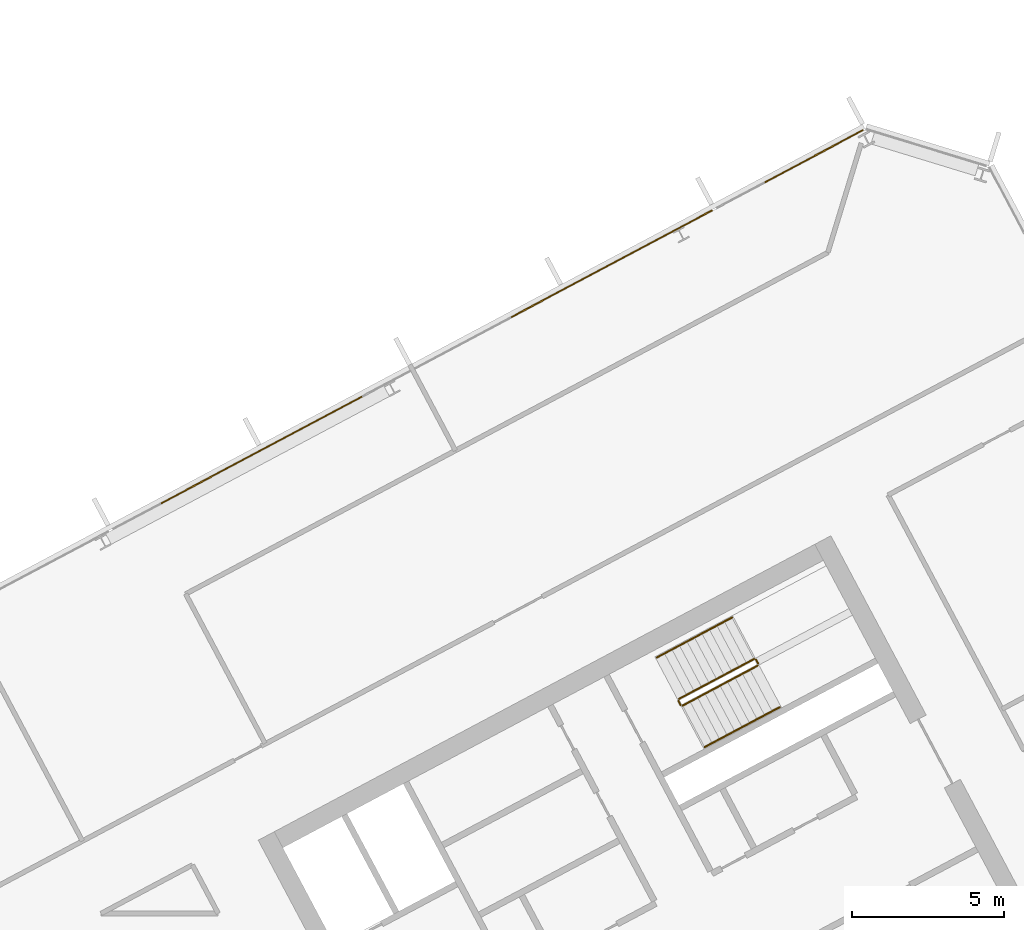
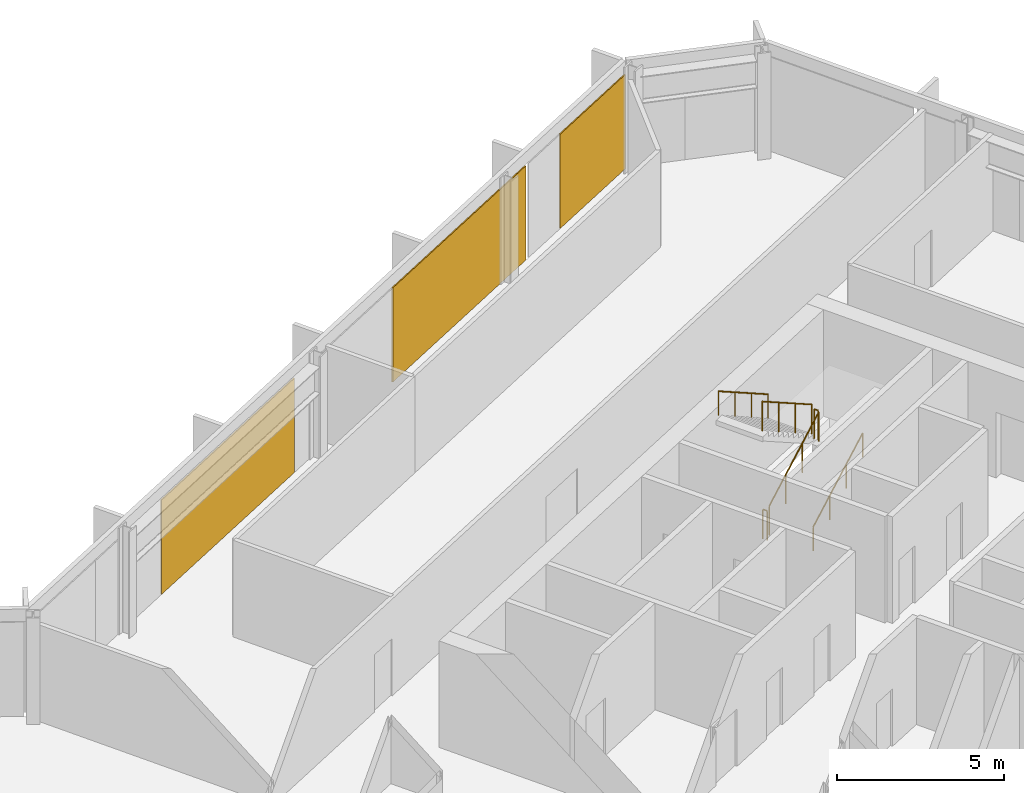
# One storey, part 25 of 26: 6 railings, 3 coverings, 1 element without a shape of its own.
"""IFC4 building model written with IfcOpenShell, lengths in metres."""

from ifc_helpers import new_model, si_unit, direction, frame, origin, origin_2d, place, context, subcontext, project, spatial, polyline, rectangle, outline, extrude, material, layer, layer_set, type_object, element, aggregate, save


model = new_model("IFC4")

# Units and contexts
model_context = context("Model", 3, precision=1e-05, world=origin(), true_north=direction((0.0, 1.0)))
body_context = subcontext(model_context, "Body", "Model", "MODEL_VIEW")
ifc_project = project(units=[si_unit("LENGTHUNIT", "METRE"), si_unit("AREAUNIT", "SQUARE_METRE"), si_unit("VOLUMEUNIT", "CUBIC_METRE"), si_unit("PLANEANGLEUNIT", "RADIAN"), si_unit("MASSUNIT", "GRAM", prefix="KILO")], contexts=[model_context])

# Site, building, storey
site_placement = place(None, origin())
site = spatial("IfcSite", under=ifc_project, at=site_placement, CompositionType="ELEMENT")
building_placement = place(site_placement, origin())
building = spatial("IfcBuilding", under=site, at=building_placement, Name="Cormorant Relay Tower", CompositionType="ELEMENT")
storey_placement = place(building_placement, frame((0.0, 0.0, 197.39990234375)))
storey = spatial("IfcBuildingStorey", under=building, at=storey_placement, Name="L42", CompositionType="ELEMENT", Elevation=197.39990234375)

# Curtain wall, coverings
ifc_material_1 = material(Name="Aluminium 6063-T6 anodised bronze", Category="aluminium")
ifc_layer_1 = layer(ifc_material_1, 0.199951171875)
ifc_layer_set_1 = layer_set([ifc_layer_1], Name="CW1 unitised bronze curtain wall with vertical fins")
curtain_wall_type = type_object("IfcCurtainWallType", Name="CW1 unitised bronze curtain wall with vertical fins", PredefinedType="NOTDEFINED", material=ifc_layer_set_1)
curtain_wall_placement = place(storey_placement, origin())
curtain_wall = element("IfcCurtainWall", 1, at=curtain_wall_placement, inside=storey, type_object=curtain_wall_type, Name="CW1 curtain wall 8", PredefinedType="NOTDEFINED")
ifc_material_2 = material(Name="Pale bronze anodised aluminium insulated panel", Category="aluminium")
ifc_layer_2 = layer(ifc_material_2, 0.0400390625)
ifc_layer_set_2 = layer_set([ifc_layer_2], Name="CW1 pale bronze insulated panel 40")
covering_type = type_object("IfcCoveringType", Name="CW1 pale bronze insulated panel 40", PredefinedType="CLADDING", material=ifc_layer_set_2)
covering_1_placement = place(storey_placement, frame((28.16943359375, 38.78466796875, 0.0), z_axis=(0.0, 0.0, 1.0), x_axis=(-0.882947592859, -0.469471562786, 0.0)))
covering_1 = element("IfcCovering", 2, at=covering_1_placement, type_object=covering_type, Name="CW1 panel S00", PredefinedType="CLADDING", context=body_context, shape_type="SweptSolid", body=[
    extrude(rectangle(XDim=3.68896484375, YDim=0.0400390625, at=origin_2d()), origin(), (0.0, 0.0, 1.0), 3.449951171875),
])
covering_2_placement = place(storey_placement, frame((21.49560546875, 35.236083984375, 0.0), z_axis=(0.0, 0.0, 1.0), x_axis=(-0.882947592859, -0.469471562786, 0.0)))
covering_2 = element("IfcCovering", 3, at=covering_2_placement, type_object=covering_type, Name="CW1 panel S02", PredefinedType="CLADDING", context=body_context, shape_type="SweptSolid", body=[
    extrude(rectangle(XDim=7.528076171875, YDim=0.0400390625, at=origin_2d()), origin(), (0.0, 0.0, 1.0), 3.449951171875),
])
covering_3_placement = place(storey_placement, frame((9.948486328125, 29.09619140625, 0.0), z_axis=(0.0, 0.0, 1.0), x_axis=(-0.882947592859, -0.469471562786, 0.0)))
covering_3 = element("IfcCovering", 4, at=covering_3_placement, type_object=covering_type, Name="CW1 panel S05", PredefinedType="CLADDING", context=body_context, shape_type="SweptSolid", body=[
    extrude(rectangle(XDim=7.528076171875, YDim=0.0400390625, at=origin_2d()), origin(), (0.0, 0.0, 1.0), 3.449951171875),
])
aggregate(curtain_wall, [covering_1, covering_2, covering_3])

# Railings
ifc_material_3 = material(Name="Steel ASTM A572 Grade 50 (Fy 345 MPa)", Category="steel")
railing_type_1 = type_object("IfcRailingType", Name="Stair guard 1100", PredefinedType="GUARDRAIL", material=ifc_material_3)
railing_1_placement = place(storey_placement, frame((23.8408203125, 20.6611328125, 0.177490234375)))
element("IfcRailing", 5, at=railing_1_placement, inside=storey, type_object=railing_type_1, Name="L42 B2 stair guard 1", PredefinedType="GUARDRAIL", context=body_context, shape_type="SweptSolid", body=[
    extrude(outline(polyline([(0.022216796875, 0.00927734375), (0.00927734375, 0.022216796875), (-0.00927734375, 0.022216796875), (-0.022216796875, 0.00927734375), (-0.022216796875, -0.00927734375), (-0.00927734375, -0.022216796875), (0.00927734375, -0.022216796875), (0.022216796875, -0.00927734375), (0.022216796875, 0.00927734375)])), frame((0.0, 0.0, 1.076171875), z_axis=(0.746033882577, 0.396627473466, 0.534901947407), x_axis=(-0.469429322983, 0.882970050864, 0.0)), (0.0, 0.0, 1.0), 3.31396484375),
    extrude(outline(polyline([(0.019287109375, 0.008056640625), (0.008056640625, 0.019287109375), (-0.008056640625, 0.019287109375), (-0.019287109375, 0.008056640625), (-0.019287109375, -0.008056640625), (-0.008056640625, -0.019287109375), (0.008056640625, -0.019287109375), (0.019287109375, -0.008056640625), (0.019287109375, 0.008056640625)])), origin(), (0.0, 0.0, 1.0), 1.052001953125),
    extrude(outline(polyline([(0.019287109375, 0.008056640625), (0.008056640625, 0.019287109375), (-0.008056640625, 0.019287109375), (-0.019287109375, 0.008056640625), (-0.019287109375, -0.008056640625), (-0.008056640625, -0.019287109375), (0.008056640625, -0.019287109375), (0.019287109375, -0.008056640625), (0.019287109375, 0.008056640625)])), frame((0.82421875, 0.438232421875, 0.5908203125)), (0.0, 0.0, 1.0), 1.052001953125),
    extrude(outline(polyline([(0.019287109375, 0.008056640625), (0.008056640625, 0.019287109375), (-0.008056640625, 0.019287109375), (-0.019287109375, 0.008056640625), (-0.019287109375, -0.008056640625), (-0.008056640625, -0.019287109375), (0.008056640625, -0.019287109375), (0.019287109375, -0.008056640625), (0.019287109375, 0.008056640625)])), frame((1.648193359375, 0.876220703125, 1.181884765625)), (0.0, 0.0, 1.0), 1.052001953125),
    extrude(outline(polyline([(0.019287109375, 0.008056640625), (0.008056640625, 0.019287109375), (-0.008056640625, 0.019287109375), (-0.019287109375, 0.008056640625), (-0.019287109375, -0.008056640625), (-0.008056640625, -0.019287109375), (0.008056640625, -0.019287109375), (0.019287109375, -0.008056640625), (0.019287109375, 0.008056640625)])), frame((2.472412109375, 1.314453125, 1.772705078125)), (0.0, 0.0, 1.0), 1.052001953125),
])
railing_2_placement = place(storey_placement, frame((26.333740234375, 22.043212890625, 1.9501953125)))
element("IfcRailing", 6, at=railing_2_placement, inside=storey, type_object=railing_type_1, Name="L42 B2 stair guard 2", PredefinedType="GUARDRAIL", context=body_context, shape_type="SweptSolid", body=[
    extrude(outline(polyline([(0.022216796875, 0.00927734375), (0.00927734375, 0.022216796875), (-0.00927734375, 0.022216796875), (-0.022216796875, 0.00927734375), (-0.022216796875, -0.00927734375), (-0.00927734375, -0.022216796875), (0.00927734375, -0.022216796875), (0.022216796875, -0.00927734375), (0.022216796875, 0.00927734375)])), frame((0.0, 0.0, 1.076171875), z_axis=(-0.469234640946, 0.883073525669, 0.0), x_axis=(-0.883073525669, -0.469234640946, 0.0)), (0.0, 0.0, 1.0), 0.14990234375),
    extrude(outline(polyline([(0.019287109375, 0.008056640625), (0.008056640625, 0.019287109375), (-0.008056640625, 0.019287109375), (-0.019287109375, 0.008056640625), (-0.019287109375, -0.008056640625), (-0.008056640625, -0.019287109375), (0.008056640625, -0.019287109375), (0.019287109375, -0.008056640625), (0.019287109375, 0.008056640625)])), origin(), (0.0, 0.0, 1.0), 1.052001953125),
    extrude(outline(polyline([(0.019287109375, 0.008056640625), (0.008056640625, 0.019287109375), (-0.008056640625, 0.019287109375), (-0.019287109375, 0.008056640625), (-0.019287109375, -0.008056640625), (-0.008056640625, -0.019287109375), (0.008056640625, -0.019287109375), (0.019287109375, -0.008056640625), (0.019287109375, 0.008056640625)])), frame((-0.0703125, 0.13232421875, 0.0)), (0.0, 0.0, 1.0), 1.052001953125),
])
railing_3_placement = place(storey_placement, frame((26.19580078125, 22.1962890625, 2.12744140625)))
element("IfcRailing", 7, at=railing_3_placement, inside=storey, type_object=railing_type_1, Name="L42 B2 stair guard 3", PredefinedType="GUARDRAIL", context=body_context, shape_type="SweptSolid", body=[
    extrude(outline(polyline([(0.022216796875, 0.00927734375), (0.00927734375, 0.022216796875), (-0.00927734375, 0.022216796875), (-0.022216796875, 0.00927734375), (-0.022216796875, -0.00927734375), (-0.00927734375, -0.022216796875), (0.00927734375, -0.022216796875), (0.022216796875, -0.00927734375), (0.022216796875, 0.00927734375)])), frame((0.0, 0.0, 1.076171875), z_axis=(-0.746033882577, -0.396627473466, 0.534901947407), x_axis=(0.469429322983, -0.882970050864, 0.0)), (0.0, 0.0, 1.0), 3.31396484375),
    extrude(outline(polyline([(0.019287109375, 0.008056640625), (0.008056640625, 0.019287109375), (-0.008056640625, 0.019287109375), (-0.019287109375, 0.008056640625), (-0.019287109375, -0.008056640625), (-0.008056640625, -0.019287109375), (0.008056640625, -0.019287109375), (0.019287109375, -0.008056640625), (0.019287109375, 0.008056640625)])), origin(), (0.0, 0.0, 1.0), 1.052001953125),
    extrude(outline(polyline([(0.019287109375, 0.008056640625), (0.008056640625, 0.019287109375), (-0.008056640625, 0.019287109375), (-0.019287109375, 0.008056640625), (-0.019287109375, -0.008056640625), (-0.008056640625, -0.019287109375), (0.008056640625, -0.019287109375), (0.019287109375, -0.008056640625), (0.019287109375, 0.008056640625)])), frame((-0.82421875, -0.438232421875, 0.5908203125)), (0.0, 0.0, 1.0), 1.052001953125),
    extrude(outline(polyline([(0.019287109375, 0.008056640625), (0.008056640625, 0.019287109375), (-0.008056640625, 0.019287109375), (-0.019287109375, 0.008056640625), (-0.019287109375, -0.008056640625), (-0.008056640625, -0.019287109375), (0.008056640625, -0.019287109375), (0.019287109375, -0.008056640625), (0.019287109375, 0.008056640625)])), frame((-1.648193359375, -0.876220703125, 1.181884765625)), (0.0, 0.0, 1.0), 1.052001953125),
    extrude(outline(polyline([(0.019287109375, 0.008056640625), (0.008056640625, 0.019287109375), (-0.008056640625, 0.019287109375), (-0.019287109375, 0.008056640625), (-0.019287109375, -0.008056640625), (-0.008056640625, -0.019287109375), (0.008056640625, -0.019287109375), (0.019287109375, -0.008056640625), (0.019287109375, 0.008056640625)])), frame((-2.472412109375, -1.314453125, 1.772705078125)), (0.0, 0.0, 1.0), 1.052001953125),
])
railing_4_placement = place(storey_placement, frame((23.773193359375, 20.681640625, 0.0)))
element("IfcRailing", 8, at=railing_4_placement, inside=storey, type_object=railing_type_1, Name="L42 B2 stair guard 4", PredefinedType="GUARDRAIL", context=body_context, shape_type="SweptSolid", body=[
    extrude(outline(polyline([(0.022216796875, 0.00927734375), (0.00927734375, 0.022216796875), (-0.00927734375, 0.022216796875), (-0.022216796875, 0.00927734375), (-0.022216796875, -0.00927734375), (-0.00927734375, -0.022216796875), (0.00927734375, -0.022216796875), (0.022216796875, -0.00927734375), (0.022216796875, 0.00927734375)])), frame((0.0, 0.0, 1.076171875), z_axis=(-0.46856034887, 0.8834314911, 0.0), x_axis=(-0.8834314911, -0.46856034887, 0.0)), (0.0, 0.0, 1.0), 0.150146484375),
    extrude(outline(polyline([(0.019287109375, 0.008056640625), (0.008056640625, 0.019287109375), (-0.008056640625, 0.019287109375), (-0.019287109375, 0.008056640625), (-0.019287109375, -0.008056640625), (-0.008056640625, -0.019287109375), (0.008056640625, -0.019287109375), (0.019287109375, -0.008056640625), (0.019287109375, 0.008056640625)])), origin(), (0.0, 0.0, 1.0), 1.052001953125),
    extrude(outline(polyline([(0.019287109375, 0.008056640625), (0.008056640625, 0.019287109375), (-0.008056640625, 0.019287109375), (-0.019287109375, 0.008056640625), (-0.019287109375, -0.008056640625), (-0.008056640625, -0.019287109375), (0.008056640625, -0.019287109375), (0.019287109375, -0.008056640625), (0.019287109375, 0.008056640625)])), frame((-0.0703125, 0.132568359375, 0.0)), (0.0, 0.0, 1.0), 1.052001953125),
])
ifc_material_4 = material(Name="Steel ASTM A572 Grade 50 (Fy 345 MPa)", Category="steel")
railing_type_2 = type_object("IfcRailingType", Name="Stair handrail 900", PredefinedType="HANDRAIL", material=ifc_material_4)
railing_5_placement = place(storey_placement, frame((24.568603515625, 19.29248046875, 0.177490234375)))
element("IfcRailing", 9, at=railing_5_placement, inside=storey, type_object=railing_type_2, Name="L42 B2 stair handrail 1", PredefinedType="HANDRAIL", context=body_context, shape_type="SweptSolid", body=[
    extrude(outline(polyline([(0.022216796875, 0.00927734375), (0.00927734375, 0.022216796875), (-0.00927734375, 0.022216796875), (-0.022216796875, 0.00927734375), (-0.022216796875, -0.00927734375), (-0.00927734375, -0.022216796875), (0.00927734375, -0.022216796875), (0.022216796875, -0.00927734375), (0.022216796875, 0.00927734375)])), frame((0.0, 0.0, 0.8759765625), z_axis=(0.746001213114, 0.396649272309, 0.534931345884), x_axis=(-0.469465464807, 0.882950835185, 0.0)), (0.0, 0.0, 1.0), 3.31396484375),
    extrude(outline(polyline([(0.019287109375, 0.008056640625), (0.008056640625, 0.019287109375), (-0.008056640625, 0.019287109375), (-0.019287109375, 0.008056640625), (-0.019287109375, -0.008056640625), (-0.008056640625, -0.019287109375), (0.008056640625, -0.019287109375), (0.019287109375, -0.008056640625), (0.019287109375, 0.008056640625)])), origin(), (0.0, 0.0, 1.0), 0.851806640625),
    extrude(outline(polyline([(0.019287109375, 0.008056640625), (0.008056640625, 0.019287109375), (-0.008056640625, 0.019287109375), (-0.019287109375, 0.008056640625), (-0.019287109375, -0.008056640625), (-0.008056640625, -0.019287109375), (0.008056640625, -0.019287109375), (0.019287109375, -0.008056640625), (0.019287109375, 0.008056640625)])), frame((0.823974609375, 0.438232421875, 0.5908203125)), (0.0, 0.0, 1.0), 0.851806640625),
    extrude(outline(polyline([(0.019287109375, 0.008056640625), (0.008056640625, 0.019287109375), (-0.008056640625, 0.019287109375), (-0.019287109375, 0.008056640625), (-0.019287109375, -0.008056640625), (-0.008056640625, -0.019287109375), (0.008056640625, -0.019287109375), (0.019287109375, -0.008056640625), (0.019287109375, 0.008056640625)])), frame((1.648193359375, 0.876220703125, 1.181884765625)), (0.0, 0.0, 1.0), 0.851806640625),
    extrude(outline(polyline([(0.019287109375, 0.008056640625), (0.008056640625, 0.019287109375), (-0.008056640625, 0.019287109375), (-0.019287109375, 0.008056640625), (-0.019287109375, -0.008056640625), (-0.008056640625, -0.019287109375), (0.008056640625, -0.019287109375), (0.019287109375, -0.008056640625), (0.019287109375, 0.008056640625)])), frame((2.47216796875, 1.314453125, 1.772705078125)), (0.0, 0.0, 1.0), 0.851806640625),
])
railing_6_placement = place(storey_placement, frame((25.468017578125, 23.56494140625, 2.12744140625)))
element("IfcRailing", 10, at=railing_6_placement, inside=storey, type_object=railing_type_2, Name="L42 B2 stair handrail 2", PredefinedType="HANDRAIL", context=body_context, shape_type="SweptSolid", body=[
    extrude(outline(polyline([(0.022216796875, 0.00927734375), (0.00927734375, 0.022216796875), (-0.00927734375, 0.022216796875), (-0.022216796875, 0.00927734375), (-0.022216796875, -0.00927734375), (-0.00927734375, -0.022216796875), (0.00927734375, -0.022216796875), (0.022216796875, -0.00927734375), (0.022216796875, 0.00927734375)])), frame((0.0, 0.0, 0.8759765625), z_axis=(-0.745979412481, -0.396711350603, 0.534915713414), x_axis=(0.469533439143, -0.882914689835, 0.0)), (0.0, 0.0, 1.0), 3.31396484375),
    extrude(outline(polyline([(0.019287109375, 0.008056640625), (0.008056640625, 0.019287109375), (-0.008056640625, 0.019287109375), (-0.019287109375, 0.008056640625), (-0.019287109375, -0.008056640625), (-0.008056640625, -0.019287109375), (0.008056640625, -0.019287109375), (0.019287109375, -0.008056640625), (0.019287109375, 0.008056640625)])), origin(), (0.0, 0.0, 1.0), 0.851806640625),
    extrude(outline(polyline([(0.019287109375, 0.008056640625), (0.008056640625, 0.019287109375), (-0.008056640625, 0.019287109375), (-0.019287109375, 0.008056640625), (-0.019287109375, -0.008056640625), (-0.008056640625, -0.019287109375), (0.008056640625, -0.019287109375), (0.019287109375, -0.008056640625), (0.019287109375, 0.008056640625)])), frame((-0.823974609375, -0.438232421875, 0.5908203125)), (0.0, 0.0, 1.0), 0.851806640625),
    extrude(outline(polyline([(0.019287109375, 0.008056640625), (0.008056640625, 0.019287109375), (-0.008056640625, 0.019287109375), (-0.019287109375, 0.008056640625), (-0.019287109375, -0.008056640625), (-0.008056640625, -0.019287109375), (0.008056640625, -0.019287109375), (0.019287109375, -0.008056640625), (0.019287109375, 0.008056640625)])), frame((-1.648193359375, -0.87646484375, 1.181884765625)), (0.0, 0.0, 1.0), 0.851806640625),
    extrude(outline(polyline([(0.019287109375, 0.008056640625), (0.008056640625, 0.019287109375), (-0.008056640625, 0.019287109375), (-0.019287109375, 0.008056640625), (-0.019287109375, -0.008056640625), (-0.008056640625, -0.019287109375), (0.008056640625, -0.019287109375), (0.019287109375, -0.008056640625), (0.019287109375, 0.008056640625)])), frame((-2.47216796875, -1.314697265625, 1.772705078125)), (0.0, 0.0, 1.0), 0.851806640625),
])

save(model, "model.ifc")
